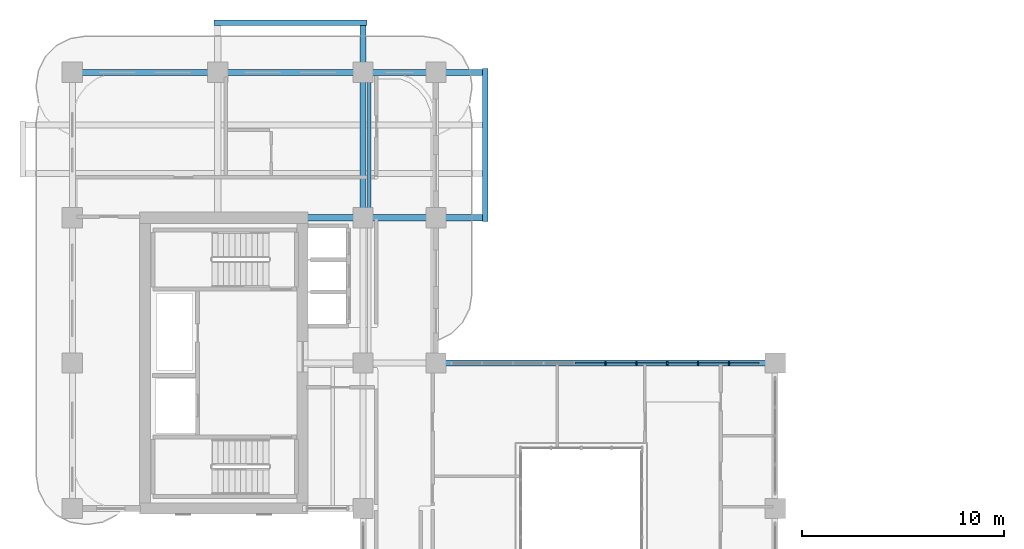
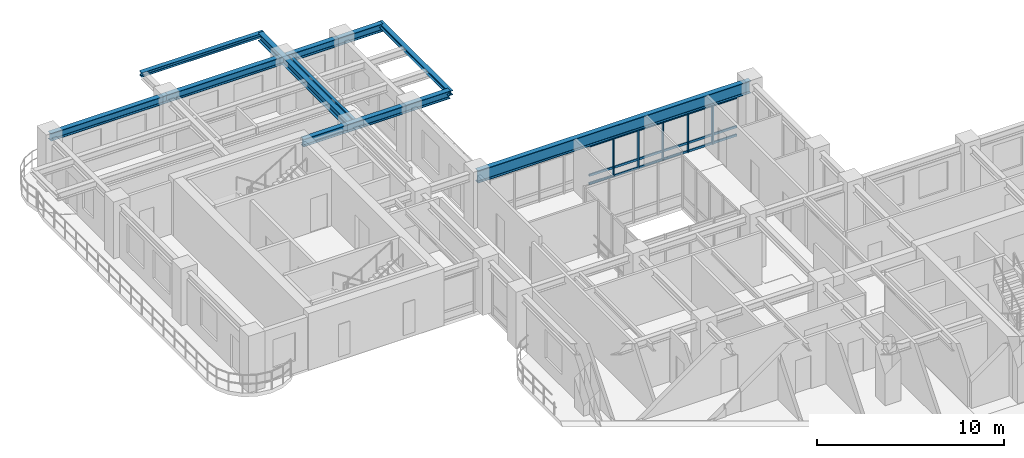
# One storey, part 6 of 21: 23 members, 8 beams, 1 element without a shape of its own.
"""IFC4 building model written with IfcOpenShell, lengths in metres."""

from ifc_helpers import new_model, si_unit, derived_unit, direction, frame, origin, origin_2d, place, context, subcontext, project, spatial, rectangle, i_section, extrude, source, transform, mapped, material, layer, layer_set, material_profile, profile_set, type_object, type_shapes, element, aggregate, save


model = new_model("IFC4")

# Units and contexts
model_context = context("Model", 3, precision=1e-05, world=origin(), true_north=direction((0.0, 1.0)))
body_context = subcontext(model_context, "Body", "Model", "MODEL_VIEW")
ifc_project = project(units=[si_unit("LENGTHUNIT", "METRE"), si_unit("AREAUNIT", "SQUARE_METRE"), si_unit("VOLUMEUNIT", "CUBIC_METRE"), si_unit("PLANEANGLEUNIT", "RADIAN"), si_unit("MASSUNIT", "GRAM", prefix="KILO"), si_unit("THERMODYNAMICTEMPERATUREUNIT", "KELVIN"), si_unit("POWERUNIT", "WATT"), derived_unit("THERMALTRANSMITTANCEUNIT", [(si_unit("POWERUNIT", "WATT"), 1), (si_unit("AREAUNIT", "SQUARE_METRE"), -1), (si_unit("THERMODYNAMICTEMPERATUREUNIT", "KELVIN"), -1)])], contexts=[model_context])

# Site, building, storey
site_placement = place(None, origin())
site = spatial("IfcSite", under=ifc_project, at=site_placement, CompositionType="ELEMENT")
building_placement = place(site_placement, origin())
building = spatial("IfcBuilding", under=site, at=building_placement, Name="Zahravan Archway Hotel and Residences", CompositionType="ELEMENT")
storey_placement = place(building_placement, frame((0.0, 0.0, 141.39990234375)))
storey = spatial("IfcBuildingStorey", under=building, at=storey_placement, Name="L35", CompositionType="ELEMENT", Elevation=141.39990234375)

# Beams
ifc_material_1 = material(Name="Structural Steel S355JR", Category="steel")
ifc_material_profile_1 = material_profile(ifc_material_1, i_section(OverallWidth=0.280029296875, OverallDepth=0.280029296875, WebThickness=0.010498046875, FlangeThickness=0.01806640625, FilletRadius=0.02392578125, at=origin_2d()), Name="HEB 280", Category="steel")
ifc_profile_set_1 = profile_set([ifc_material_profile_1], Name="Structural Steel S355JR")
beam_type_1 = type_object("IfcBeamType", Name="BM-SPN-HEB280", PredefinedType="SPANDREL", material=ifc_profile_set_1)
shared_shape_1 = source(origin(), body_context, "Body", "SweptSolid", [
    extrude(i_section(OverallWidth=0.280029296875, OverallDepth=0.280029296875, WebThickness=0.010498046875, FlangeThickness=0.01806640625, FilletRadius=0.02392578125, at=origin_2d()), origin(), (0.0, 0.0, 1.0), 7.56005859375),
])
type_shapes(beam_type_1, [shared_shape_1])
for number, where, z_axis, x_axis, name in (
    (1, (20.449951171875, 39.419921875, 3.260009765625), (0.0, 1.0, 0.0), (-1.0, 0.0, 0.0), "L36 EB Balcony Edge Spandrel"),
    (2, (7.02001953125, 49.25, 3.260009765625), (1.0, 0.0, 0.0), (0.0, 1.0, 0.0), "L36 NB Balcony Edge Spandrel"),
):
    element("IfcBeam", number, at=place(storey_placement, frame(where, z_axis=z_axis, x_axis=x_axis)), inside=storey, type_object=beam_type_1, Name=name, PredefinedType="SPANDREL", context=body_context, shape_type="MappedRepresentation", body=[
        mapped(shared_shape_1, transform((0.0, 0.0, 0.0), scale=1.0)),
    ])
ifc_material_2 = material(Name="Structural Steel S355J2", Category="steel")
ifc_material_profile_2 = material_profile(ifc_material_2, i_section(OverallWidth=0.300048828125, OverallDepth=0.800048828125, WebThickness=0.017578125, FlangeThickness=0.032958984375, FilletRadius=0.030029296875, at=origin_2d()), Name="HEB 800", Category="steel")
ifc_profile_set_2 = profile_set([ifc_material_profile_2], Name="Structural Steel S355J2")
beam_type_2 = type_object("IfcBeamType", Name="BM-PRI-HEB800", PredefinedType="BEAM", material=ifc_profile_set_2)
shared_shape_2 = source(origin(), body_context, "Body", "SweptSolid", [
    extrude(i_section(OverallWidth=0.300048828125, OverallDepth=0.800048828125, WebThickness=0.017578125, FlangeThickness=0.032958984375, FilletRadius=0.030029296875, at=origin_2d()), origin(), (0.0, 0.0, 1.0), 16.800048828125),
])
type_shapes(beam_type_2, [shared_shape_2])
beam_1_placement = place(storey_placement, frame((18.0, 32.39990234375, 3.0), z_axis=(1.0, 0.0, 0.0), x_axis=(0.0, 1.0, 0.0)))
element("IfcBeam", 3, at=beam_1_placement, inside=storey, type_object=beam_type_2, Name="L35 Primary Girder EW-18", PredefinedType="BEAM", context=body_context, shape_type="MappedRepresentation", body=[
    mapped(shared_shape_2, transform((0.0, 0.0, 0.0), scale=1.0)),
])
ifc_material_profile_3 = material_profile(ifc_material_1, i_section(OverallWidth=0.300048828125, OverallDepth=0.5, WebThickness=0.014404296875, FlangeThickness=0.028076171875, FilletRadius=0.027099609375, at=origin_2d()), Name="HEB 500", Category="steel")
ifc_profile_set_3 = profile_set([ifc_material_profile_3], Name="Structural Steel S355JR")
beam_type_3 = type_object("IfcBeamType", Name="BM-PRI-HEB500", PredefinedType="BEAM", material=ifc_profile_set_3)
shared_shape_3 = source(origin(), body_context, "Body", "SweptSolid", [
    extrude(i_section(OverallWidth=0.300048828125, OverallDepth=0.5, WebThickness=0.014404296875, FlangeThickness=0.028076171875, FilletRadius=0.027099609375, at=origin_2d()), origin(), (0.0, 0.0, 1.0), 7.199951171875),
])
beam_2_placement = place(storey_placement, frame((0.0, 46.800048828125, 3.150146484375), z_axis=(1.0, 0.0, 0.0), x_axis=(0.0, 1.0, 0.0)))
element("IfcBeam", 4, at=beam_2_placement, inside=storey, type_object=beam_type_3, Name="L35 Primary Girder EW-20", PredefinedType="BEAM", context=body_context, shape_type="MappedRepresentation", body=[
    mapped(shared_shape_3, transform((0.0, 0.0, 0.0), scale=1.0)),
])
shared_shape_4 = source(origin(), body_context, "Body", "SweptSolid", [
    extrude(i_section(OverallWidth=0.300048828125, OverallDepth=0.5, WebThickness=0.014404296875, FlangeThickness=0.028076171875, FilletRadius=0.027099609375, at=origin_2d()), origin(), (0.0, 0.0, 1.0), 9.050048828125),
])
beam_3_placement = place(storey_placement, frame((11.39990234375, 39.60009765625, 3.150146484375), z_axis=(1.0, 0.0, 0.0), x_axis=(0.0, 1.0, 0.0)))
element("IfcBeam", 5, at=beam_3_placement, inside=storey, type_object=beam_type_3, Name="L35 Primary Girder EW-19", PredefinedType="BEAM", context=body_context, shape_type="MappedRepresentation", body=[
    mapped(shared_shape_4, transform((0.0, 0.0, 0.0), scale=1.0)),
])
shared_shape_5 = source(origin(), body_context, "Body", "SweptSolid", [
    extrude(i_section(OverallWidth=0.300048828125, OverallDepth=0.5, WebThickness=0.014404296875, FlangeThickness=0.028076171875, FilletRadius=0.027099609375, at=origin_2d()), origin(), (0.0, 0.0, 1.0), 13.25),
])
beam_4_placement = place(storey_placement, frame((7.199951171875, 46.800048828125, 3.150146484375), z_axis=(1.0, 0.0, 0.0), x_axis=(0.0, 1.0, 0.0)))
element("IfcBeam", 6, at=beam_4_placement, inside=storey, type_object=beam_type_3, Name="L35 Primary Girder EW-21", PredefinedType="BEAM", context=body_context, shape_type="MappedRepresentation", body=[
    mapped(shared_shape_5, transform((0.0, 0.0, 0.0), scale=1.0)),
])
shared_shape_6 = source(origin(), body_context, "Body", "SweptSolid", [
    extrude(i_section(OverallWidth=0.300048828125, OverallDepth=0.5, WebThickness=0.014404296875, FlangeThickness=0.028076171875, FilletRadius=0.027099609375, at=origin_2d()), origin(), (0.0, 0.0, 1.0), 9.64990234375),
])
beam_5_placement = place(storey_placement, frame((14.39990234375, 39.60009765625, 3.150146484375), z_axis=(0.0, 1.0, 0.0), x_axis=(-1.0, 0.0, 0.0)))
element("IfcBeam", 7, at=beam_5_placement, inside=storey, type_object=beam_type_3, Name="L35 Primary Girder NS-34", PredefinedType="BEAM", context=body_context, shape_type="MappedRepresentation", body=[
    mapped(shared_shape_6, transform((0.0, 0.0, 0.0), scale=1.0)),
])
ifc_material_profile_4 = material_profile(ifc_material_1, i_section(OverallWidth=0.159912109375, OverallDepth=0.330078125, WebThickness=0.007568359375, FlangeThickness=0.011474609375, FilletRadius=0.01806640625, at=origin_2d()), Name="IPE 330", Category="steel")
ifc_profile_set_4 = profile_set([ifc_material_profile_4], Name="Structural Steel S355JR")
beam_type_4 = type_object("IfcBeamType", Name="BM-JST-IPE330", PredefinedType="JOIST", material=ifc_profile_set_4)
shared_shape_7 = source(origin(), body_context, "Body", "SweptSolid", [
    extrude(i_section(OverallWidth=0.159912109375, OverallDepth=0.330078125, WebThickness=0.007568359375, FlangeThickness=0.011474609375, FilletRadius=0.01806640625, at=origin_2d()), origin(), (0.0, 0.0, 1.0), 6.904052734375),
])
type_shapes(beam_type_4, [shared_shape_7])
beam_6_placement = place(storey_placement, frame((14.699951171875, 39.748046875, 3.235107421875), z_axis=(0.0, 1.0, 0.0), x_axis=(-1.0, 0.0, 0.0)))
element("IfcBeam", 8, at=beam_6_placement, inside=storey, type_object=beam_type_4, Name="L35 Composite Floor Joist 12", PredefinedType="JOIST", context=body_context, shape_type="MappedRepresentation", body=[
    mapped(shared_shape_7, transform((0.0, 0.0, 0.0), scale=1.0)),
])

# Curtain wall, members
ifc_material_3 = material(Name="Bronze-Anodized Unitised Aluminium & Low-E Glass", Category="aluminium")
ifc_layer = layer(ifc_material_3, 0.179931640625, Name="Bronze-Anodized Unitised Aluminium & Low-E Glass", Category="aluminium")
ifc_layer_set = layer_set([ifc_layer], Name="Bronze-Anodized Unitised Aluminium & Low-E Glass")
curtain_wall_type = type_object("IfcCurtainWallType", Name="CW-ATR-GLAZ", PredefinedType="NOTDEFINED", material=ifc_layer_set)
curtain_wall_placement = place(storey_placement, origin())
curtain_wall = element("IfcCurtainWall", 9, at=curtain_wall_placement, inside=storey, type_object=curtain_wall_type, Name="L35 Curtain Wall CW-L35-HNG-N-1", PredefinedType="NOTDEFINED")
ifc_material_4 = material(Name="Bronze-Anodized Extruded Aluminium", Category="aluminium")
ifc_material_profile_5 = material_profile(ifc_material_4, rectangle(XDim=0.080078125, YDim=0.139892578125, at=origin_2d()), Name="TRN 80x140", Category="aluminium")
ifc_profile_set_5 = profile_set([ifc_material_profile_5], Name="Bronze-Anodized Extruded Aluminium")
member_type_1 = type_object("IfcMemberType", Name="CWM-TRN-140", PredefinedType="USERDEFINED", material=ifc_profile_set_5)
shared_shape_8 = source(origin(), body_context, "Body", "SweptSolid", [
    extrude(rectangle(XDim=0.080078125, YDim=0.139892578125, at=origin_2d()), origin(), (0.0, 0.0, 1.0), 1.447998046875),
])
member_1_placement = place(storey_placement, frame((24.912109375, 32.39990234375, 0.070068359375), z_axis=(1.0, 0.0, 0.0), x_axis=(0.0, 1.0, 0.0)))
member_1 = element("IfcMember", 10, at=member_1_placement, type_object=member_type_1, Name="CW-L35-HNG-N-1 Transom 4-1", ObjectType="TRANSOM", PredefinedType="USERDEFINED", context=body_context, shape_type="MappedRepresentation", body=[
    mapped(shared_shape_8, transform((0.0, 0.0, 0.0), scale=1.0)),
])
member_2_placement = place(storey_placement, frame((24.912109375, 32.39990234375, 0.62060546875), z_axis=(1.0, 0.0, 0.0), x_axis=(0.0, 1.0, 0.0)))
member_2 = element("IfcMember", 11, at=member_2_placement, type_object=member_type_1, Name="CW-L35-HNG-N-1 Transom 4-2", ObjectType="TRANSOM", PredefinedType="USERDEFINED", context=body_context, shape_type="MappedRepresentation", body=[
    mapped(shared_shape_8, transform((0.0, 0.0, 0.0), scale=1.0)),
])
member_3_placement = place(storey_placement, frame((24.912109375, 32.39990234375, 2.51513671875), z_axis=(1.0, 0.0, 0.0), x_axis=(0.0, 1.0, 0.0)))
member_3 = element("IfcMember", 12, at=member_3_placement, type_object=member_type_1, Name="CW-L35-HNG-N-1 Transom 4-3", ObjectType="TRANSOM", PredefinedType="USERDEFINED", context=body_context, shape_type="MappedRepresentation", body=[
    mapped(shared_shape_8, transform((0.0, 0.0, 0.0), scale=1.0)),
])
member_4_placement = place(storey_placement, frame((26.43994140625, 32.39990234375, 0.070068359375), z_axis=(1.0, 0.0, 0.0), x_axis=(0.0, 1.0, 0.0)))
member_4 = element("IfcMember", 13, at=member_4_placement, type_object=member_type_1, Name="CW-L35-HNG-N-1 Transom 5-1", ObjectType="TRANSOM", PredefinedType="USERDEFINED", context=body_context, shape_type="MappedRepresentation", body=[
    mapped(shared_shape_8, transform((0.0, 0.0, 0.0), scale=1.0)),
])
member_5_placement = place(storey_placement, frame((26.43994140625, 32.39990234375, 0.62060546875), z_axis=(1.0, 0.0, 0.0), x_axis=(0.0, 1.0, 0.0)))
member_5 = element("IfcMember", 14, at=member_5_placement, type_object=member_type_1, Name="CW-L35-HNG-N-1 Transom 5-2", ObjectType="TRANSOM", PredefinedType="USERDEFINED", context=body_context, shape_type="MappedRepresentation", body=[
    mapped(shared_shape_8, transform((0.0, 0.0, 0.0), scale=1.0)),
])
member_6_placement = place(storey_placement, frame((26.43994140625, 32.39990234375, 2.51513671875), z_axis=(1.0, 0.0, 0.0), x_axis=(0.0, 1.0, 0.0)))
member_6 = element("IfcMember", 15, at=member_6_placement, type_object=member_type_1, Name="CW-L35-HNG-N-1 Transom 5-3", ObjectType="TRANSOM", PredefinedType="USERDEFINED", context=body_context, shape_type="MappedRepresentation", body=[
    mapped(shared_shape_8, transform((0.0, 0.0, 0.0), scale=1.0)),
])
member_7_placement = place(storey_placement, frame((27.968017578125, 32.39990234375, 0.070068359375), z_axis=(1.0, 0.0, 0.0), x_axis=(0.0, 1.0, 0.0)))
member_7 = element("IfcMember", 16, at=member_7_placement, type_object=member_type_1, Name="CW-L35-HNG-N-1 Transom 6-1", ObjectType="TRANSOM", PredefinedType="USERDEFINED", context=body_context, shape_type="MappedRepresentation", body=[
    mapped(shared_shape_8, transform((0.0, 0.0, 0.0), scale=1.0)),
])
member_8_placement = place(storey_placement, frame((27.968017578125, 32.39990234375, 0.62060546875), z_axis=(1.0, 0.0, 0.0), x_axis=(0.0, 1.0, 0.0)))
member_8 = element("IfcMember", 17, at=member_8_placement, type_object=member_type_1, Name="CW-L35-HNG-N-1 Transom 6-2", ObjectType="TRANSOM", PredefinedType="USERDEFINED", context=body_context, shape_type="MappedRepresentation", body=[
    mapped(shared_shape_8, transform((0.0, 0.0, 0.0), scale=1.0)),
])
member_9_placement = place(storey_placement, frame((27.968017578125, 32.39990234375, 2.51513671875), z_axis=(1.0, 0.0, 0.0), x_axis=(0.0, 1.0, 0.0)))
member_9 = element("IfcMember", 18, at=member_9_placement, type_object=member_type_1, Name="CW-L35-HNG-N-1 Transom 6-3", ObjectType="TRANSOM", PredefinedType="USERDEFINED", context=body_context, shape_type="MappedRepresentation", body=[
    mapped(shared_shape_8, transform((0.0, 0.0, 0.0), scale=1.0)),
])
member_10_placement = place(storey_placement, frame((29.49609375, 32.39990234375, 0.070068359375), z_axis=(1.0, 0.0, 0.0), x_axis=(0.0, 1.0, 0.0)))
member_10 = element("IfcMember", 19, at=member_10_placement, type_object=member_type_1, Name="CW-L35-HNG-N-1 Transom 7-1", ObjectType="TRANSOM", PredefinedType="USERDEFINED", context=body_context, shape_type="MappedRepresentation", body=[
    mapped(shared_shape_8, transform((0.0, 0.0, 0.0), scale=1.0)),
])
member_11_placement = place(storey_placement, frame((29.49609375, 32.39990234375, 0.62060546875), z_axis=(1.0, 0.0, 0.0), x_axis=(0.0, 1.0, 0.0)))
member_11 = element("IfcMember", 20, at=member_11_placement, type_object=member_type_1, Name="CW-L35-HNG-N-1 Transom 7-2", ObjectType="TRANSOM", PredefinedType="USERDEFINED", context=body_context, shape_type="MappedRepresentation", body=[
    mapped(shared_shape_8, transform((0.0, 0.0, 0.0), scale=1.0)),
])
member_12_placement = place(storey_placement, frame((29.49609375, 32.39990234375, 2.51513671875), z_axis=(1.0, 0.0, 0.0), x_axis=(0.0, 1.0, 0.0)))
member_12 = element("IfcMember", 21, at=member_12_placement, type_object=member_type_1, Name="CW-L35-HNG-N-1 Transom 7-3", ObjectType="TRANSOM", PredefinedType="USERDEFINED", context=body_context, shape_type="MappedRepresentation", body=[
    mapped(shared_shape_8, transform((0.0, 0.0, 0.0), scale=1.0)),
])
member_13_placement = place(storey_placement, frame((31.02392578125, 32.39990234375, 0.070068359375), z_axis=(1.0, 0.0, 0.0), x_axis=(0.0, 1.0, 0.0)))
member_13 = element("IfcMember", 22, at=member_13_placement, type_object=member_type_1, Name="CW-L35-HNG-N-1 Transom 8-1", ObjectType="TRANSOM", PredefinedType="USERDEFINED", context=body_context, shape_type="MappedRepresentation", body=[
    mapped(shared_shape_8, transform((0.0, 0.0, 0.0), scale=1.0)),
])
member_14_placement = place(storey_placement, frame((31.02392578125, 32.39990234375, 0.62060546875), z_axis=(1.0, 0.0, 0.0), x_axis=(0.0, 1.0, 0.0)))
member_14 = element("IfcMember", 23, at=member_14_placement, type_object=member_type_1, Name="CW-L35-HNG-N-1 Transom 8-2", ObjectType="TRANSOM", PredefinedType="USERDEFINED", context=body_context, shape_type="MappedRepresentation", body=[
    mapped(shared_shape_8, transform((0.0, 0.0, 0.0), scale=1.0)),
])
member_15_placement = place(storey_placement, frame((31.02392578125, 32.39990234375, 2.51513671875), z_axis=(1.0, 0.0, 0.0), x_axis=(0.0, 1.0, 0.0)))
member_15 = element("IfcMember", 24, at=member_15_placement, type_object=member_type_1, Name="CW-L35-HNG-N-1 Transom 8-3", ObjectType="TRANSOM", PredefinedType="USERDEFINED", context=body_context, shape_type="MappedRepresentation", body=[
    mapped(shared_shape_8, transform((0.0, 0.0, 0.0), scale=1.0)),
])
member_16_placement = place(storey_placement, frame((32.552001953125, 32.39990234375, 0.070068359375), z_axis=(1.0, 0.0, 0.0), x_axis=(0.0, 1.0, 0.0)))
member_16 = element("IfcMember", 25, at=member_16_placement, type_object=member_type_1, Name="CW-L35-HNG-N-1 Transom 9-1", ObjectType="TRANSOM", PredefinedType="USERDEFINED", context=body_context, shape_type="MappedRepresentation", body=[
    mapped(shared_shape_8, transform((0.0, 0.0, 0.0), scale=1.0)),
])
member_17_placement = place(storey_placement, frame((32.552001953125, 32.39990234375, 0.62060546875), z_axis=(1.0, 0.0, 0.0), x_axis=(0.0, 1.0, 0.0)))
member_17 = element("IfcMember", 26, at=member_17_placement, type_object=member_type_1, Name="CW-L35-HNG-N-1 Transom 9-2", ObjectType="TRANSOM", PredefinedType="USERDEFINED", context=body_context, shape_type="MappedRepresentation", body=[
    mapped(shared_shape_8, transform((0.0, 0.0, 0.0), scale=1.0)),
])
member_18_placement = place(storey_placement, frame((32.552001953125, 32.39990234375, 2.51513671875), z_axis=(1.0, 0.0, 0.0), x_axis=(0.0, 1.0, 0.0)))
member_18 = element("IfcMember", 27, at=member_18_placement, type_object=member_type_1, Name="CW-L35-HNG-N-1 Transom 9-3", ObjectType="TRANSOM", PredefinedType="USERDEFINED", context=body_context, shape_type="MappedRepresentation", body=[
    mapped(shared_shape_8, transform((0.0, 0.0, 0.0), scale=1.0)),
])
ifc_material_profile_6 = material_profile(ifc_material_4, rectangle(XDim=0.080078125, YDim=0.159912109375, at=origin_2d()), Name="MUL 80x160", Category="aluminium")
ifc_profile_set_6 = profile_set([ifc_material_profile_6], Name="Bronze-Anodized Extruded Aluminium")
member_type_2 = type_object("IfcMemberType", Name="CWM-MUL-160", PredefinedType="MULLION", material=ifc_profile_set_6)
shared_shape_9 = source(origin(), body_context, "Body", "SweptSolid", [
    extrude(rectangle(XDim=0.080078125, YDim=0.159912109375, at=origin_2d()), origin(), (0.0, 0.0, 1.0), 2.585205078125),
])
member_19_placement = place(storey_placement, frame((26.39990234375, 32.39990234375, 0.0), z_axis=(0.0, 0.0, 1.0), x_axis=(1.0, 0.0, 0.0)))
member_19 = element("IfcMember", 28, at=member_19_placement, type_object=member_type_2, Name="CW-L35-HNG-N-1 Mullion 5", PredefinedType="MULLION", context=body_context, shape_type="MappedRepresentation", body=[
    mapped(shared_shape_9, transform((0.0, 0.0, 0.0), scale=1.0)),
])
member_20_placement = place(storey_placement, frame((27.927978515625, 32.39990234375, 0.0), z_axis=(0.0, 0.0, 1.0), x_axis=(1.0, 0.0, 0.0)))
member_20 = element("IfcMember", 29, at=member_20_placement, type_object=member_type_2, Name="CW-L35-HNG-N-1 Mullion 6", PredefinedType="MULLION", context=body_context, shape_type="MappedRepresentation", body=[
    mapped(shared_shape_9, transform((0.0, 0.0, 0.0), scale=1.0)),
])
member_21_placement = place(storey_placement, frame((29.4560546875, 32.39990234375, 0.0), z_axis=(0.0, 0.0, 1.0), x_axis=(1.0, 0.0, 0.0)))
member_21 = element("IfcMember", 30, at=member_21_placement, type_object=member_type_2, Name="CW-L35-HNG-N-1 Mullion 7", PredefinedType="MULLION", context=body_context, shape_type="MappedRepresentation", body=[
    mapped(shared_shape_9, transform((0.0, 0.0, 0.0), scale=1.0)),
])
member_22_placement = place(storey_placement, frame((30.98388671875, 32.39990234375, 0.0), z_axis=(0.0, 0.0, 1.0), x_axis=(1.0, 0.0, 0.0)))
member_22 = element("IfcMember", 31, at=member_22_placement, type_object=member_type_2, Name="CW-L35-HNG-N-1 Mullion 8", PredefinedType="MULLION", context=body_context, shape_type="MappedRepresentation", body=[
    mapped(shared_shape_9, transform((0.0, 0.0, 0.0), scale=1.0)),
])
member_23_placement = place(storey_placement, frame((32.511962890625, 32.39990234375, 0.0), z_axis=(0.0, 0.0, 1.0), x_axis=(1.0, 0.0, 0.0)))
member_23 = element("IfcMember", 32, at=member_23_placement, type_object=member_type_2, Name="CW-L35-HNG-N-1 Mullion 9", PredefinedType="MULLION", context=body_context, shape_type="MappedRepresentation", body=[
    mapped(shared_shape_9, transform((0.0, 0.0, 0.0), scale=1.0)),
])
aggregate(curtain_wall, [member_19, member_20, member_21, member_22, member_23, member_1, member_2, member_3, member_4, member_5, member_6, member_7, member_8, member_9, member_10, member_11, member_12, member_13, member_14, member_15, member_16, member_17, member_18])

save(model, "model.ifc")
